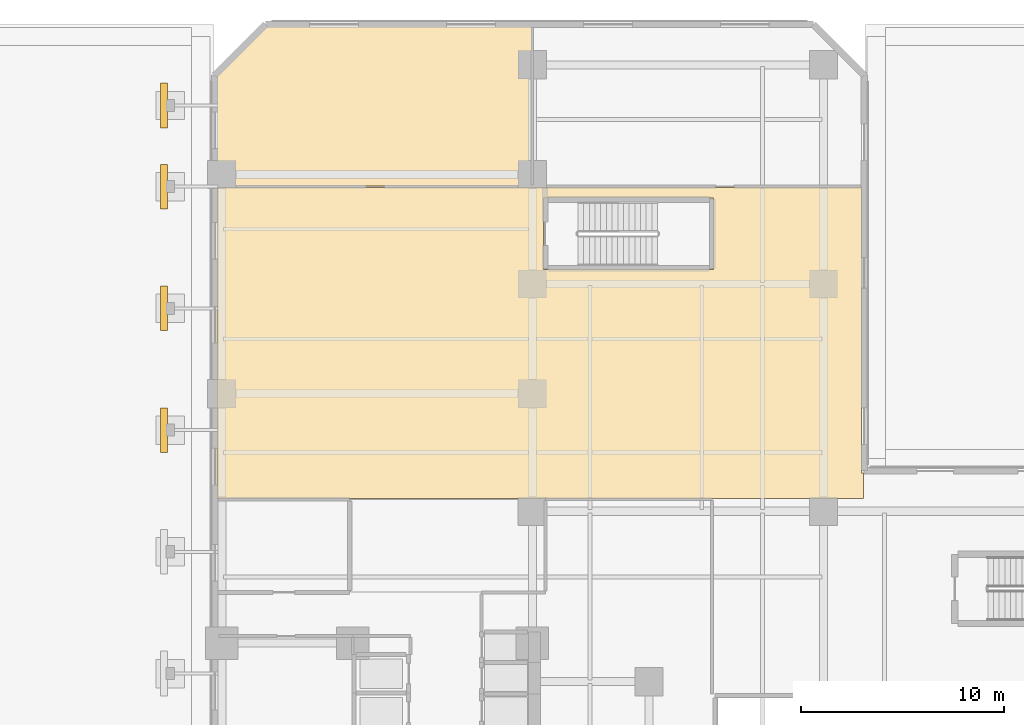
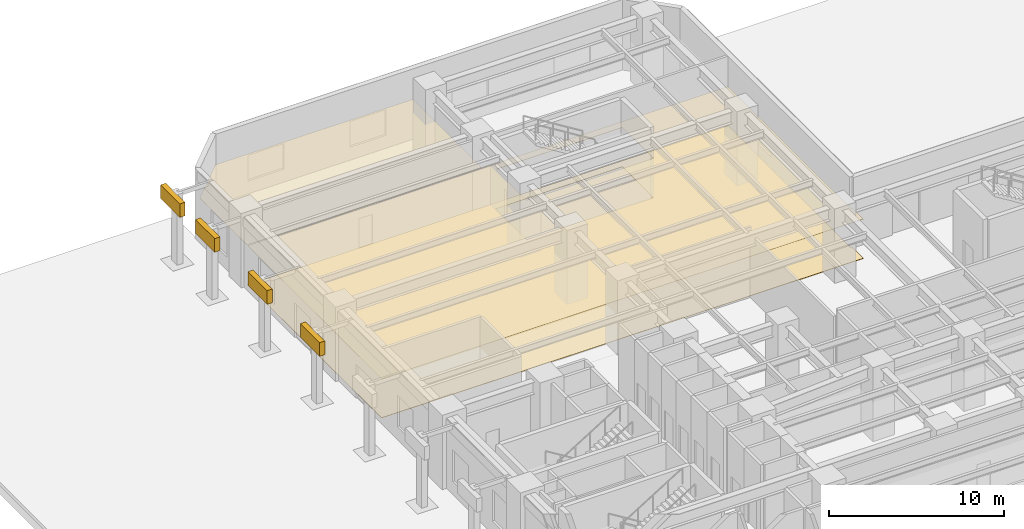
# One storey, part 11 of 14: 4 shading devices, 3 coverings.
"""IFC4 building model written with IfcOpenShell, lengths in metres."""

from ifc_helpers import new_model, si_unit, direction, frame, origin, origin_2d, place, context, subcontext, project, spatial, polyline, rectangle, outline, extrude, material, layer, layer_set, type_object, element, save


model = new_model("IFC4")

# Units and contexts
model_context = context("Model", 3, precision=1e-05, world=origin(), true_north=direction((0.0, 1.0)))
body_context = subcontext(model_context, "Body", "Model", "MODEL_VIEW")
ifc_project = project(units=[si_unit("LENGTHUNIT", "METRE"), si_unit("AREAUNIT", "SQUARE_METRE"), si_unit("VOLUMEUNIT", "CUBIC_METRE"), si_unit("PLANEANGLEUNIT", "RADIAN"), si_unit("MASSUNIT", "GRAM", prefix="KILO")], contexts=[model_context])

# Site, building, storey
site_placement = place(None, origin())
site = spatial("IfcSite", under=ifc_project, at=site_placement, CompositionType="ELEMENT")
building_placement = place(site_placement, origin())
building = spatial("IfcBuilding", under=site, at=building_placement, Name="Mawjaban Terraces University", CompositionType="ELEMENT")
storey_placement = place(building_placement, origin())
storey = spatial("IfcBuildingStorey", under=building, at=storey_placement, Name="L00", CompositionType="ELEMENT", Elevation=0.0)

# Coverings
ifc_material_1 = material(Name="Acoustic mineral fibre ceiling tile", Category="masonry")
ifc_layer_1 = layer(ifc_material_1, 0.02001953125)
ifc_layer_set_1 = layer_set([ifc_layer_1], Name="Acoustic mineral fibre ceiling tile")
covering_type_1 = type_object("IfcCoveringType", Name="AcousticMineralCeiling_20", PredefinedType="CEILING", material=ifc_layer_set_1)
covering_1_placement = place(storey_placement, frame((0.0, 0.0, 2.75)))
element("IfcCovering", 1, at=covering_1_placement, inside=storey, type_object=covering_type_1, Name="L00 Main Campus Entrance Concourse Acoustic Ceiling", PredefinedType="CEILING", context=body_context, shape_type="SweptSolid", body=[
    extrude(outline(polyline([(53.885009765625, 31.885009765625), (53.885009765625, 45.969970703125), (22.114990234375, 45.969970703125), (22.114990234375, 30.6298828125), (53.969970703125, 30.6298828125), (53.969970703125, 31.885009765625), (53.885009765625, 31.885009765625)]), holes=[polyline([(46.590087890625, 45.43994140625), (46.590087890625, 41.909912109375), (38.2099609375, 41.909912109375), (38.2099609375, 45.43994140625), (46.590087890625, 45.43994140625)])]), origin(), (0.0, 0.0, 1.0), 0.02001953125),
])
covering_2_placement = place(storey_placement, frame((0.0, 0.0, 2.75)))
element("IfcCovering", 2, at=covering_2_placement, inside=storey, type_object=covering_type_1, Name="L00 University Admissions and Registrar Suite Acoustic Ceiling", PredefinedType="CEILING", context=body_context, shape_type="SweptSolid", body=[
    extrude(outline(polyline([(37.6201171875, 53.885009765625), (24.547119140625, 53.885009765625), (22.114990234375, 51.452880859375), (22.114990234375, 46.030029296875), (37.6201171875, 46.030029296875), (37.6201171875, 53.885009765625)])), origin(), (0.0, 0.0, 1.0), 0.02001953125),
])

# Shading devices
ifc_material_2 = material(Name="Anodised aluminium 6063-T6", Category="aluminium")
ifc_layer_2 = layer(ifc_material_2, 0.090087890625)
ifc_layer_set_2 = layer_set([ifc_layer_2], Name="Anodised aluminium 6063-T6")
shading_device_type = type_object("IfcShadingDeviceType", Name="ArcadeSunshadeShutter", PredefinedType="SHUTTER", material=ifc_layer_set_2)
for number, where, z_axis, x_axis, name in (
    (3, (19.5, 34.0, 3.9248046875), (0.0, 0.0, 1.0), (1.0, 0.0, 0.0), "L00 Plaza Arcade Sunshade 06"),
    (4, (19.5, 40.0, 3.9248046875), (0.0, 0.0, 1.0), (1.0, 0.0, 0.0), "L00 Plaza Arcade Sunshade 07"),
    (5, (19.5, 46.0, 3.9248046875), (0.0, 0.0, 1.0), (1.0, 0.0, 0.0), "L00 Plaza Arcade Sunshade 08"),
    (6, (19.5, 50.0, 3.9248046875), (0.0, 0.0, 1.0), (1.0, 0.0, 0.0), "L00 Plaza Arcade Sunshade 09"),
):
    element("IfcShadingDevice", number, at=place(storey_placement, frame(where, z_axis=z_axis, x_axis=x_axis)), inside=storey, type_object=shading_device_type, Name=name, PredefinedType="SHUTTER", context=body_context, shape_type="SweptSolid", body=[
        extrude(rectangle(XDim=0.35009765625, YDim=2.199951171875, at=origin_2d()), origin(), (0.0, 0.0, 1.0), 0.949951171875),
    ])

# Covering
ifc_material_3 = material(Name="Polished Hijazi granite terrazzo flooring", Category="masonry")
ifc_layer_3 = layer(ifc_material_3, 0.02490234375)
ifc_layer_set_3 = layer_set([ifc_layer_3], Name="Polished Hijazi granite terrazzo flooring")
covering_type_2 = type_object("IfcCoveringType", Name="TerrazzoConcourseFlooring_25", PredefinedType="FLOORING", material=ifc_layer_set_3)
covering_3_placement = place(storey_placement, origin())
element("IfcCovering", 7, at=covering_3_placement, inside=storey, type_object=covering_type_2, Name="L00 Main Campus Entrance Concourse Terrazzo Flooring", PredefinedType="FLOORING", context=body_context, shape_type="SweptSolid", body=[
    extrude(outline(polyline([(53.885009765625, 31.885009765625), (53.885009765625, 45.969970703125), (22.114990234375, 45.969970703125), (22.114990234375, 30.6298828125), (53.969970703125, 30.6298828125), (53.969970703125, 31.885009765625), (53.885009765625, 31.885009765625)]), holes=[polyline([(46.590087890625, 45.43994140625), (46.590087890625, 41.909912109375), (38.2099609375, 41.909912109375), (38.2099609375, 45.43994140625), (46.590087890625, 45.43994140625)])]), origin(), (0.0, 0.0, 1.0), 0.02490234375),
])

save(model, "model.ifc")
